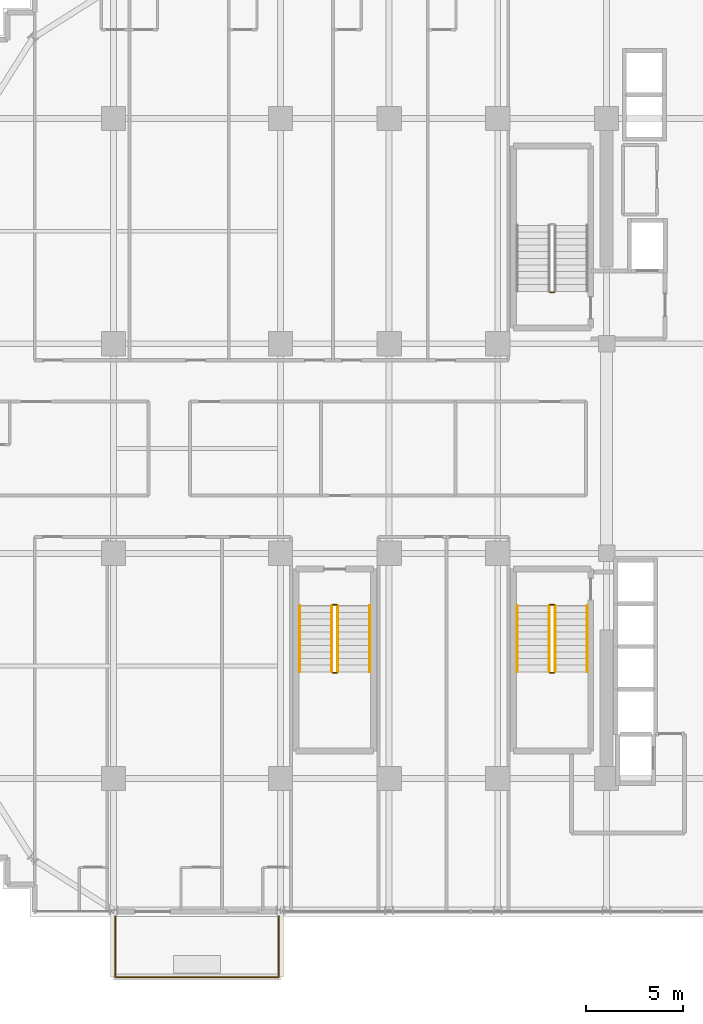
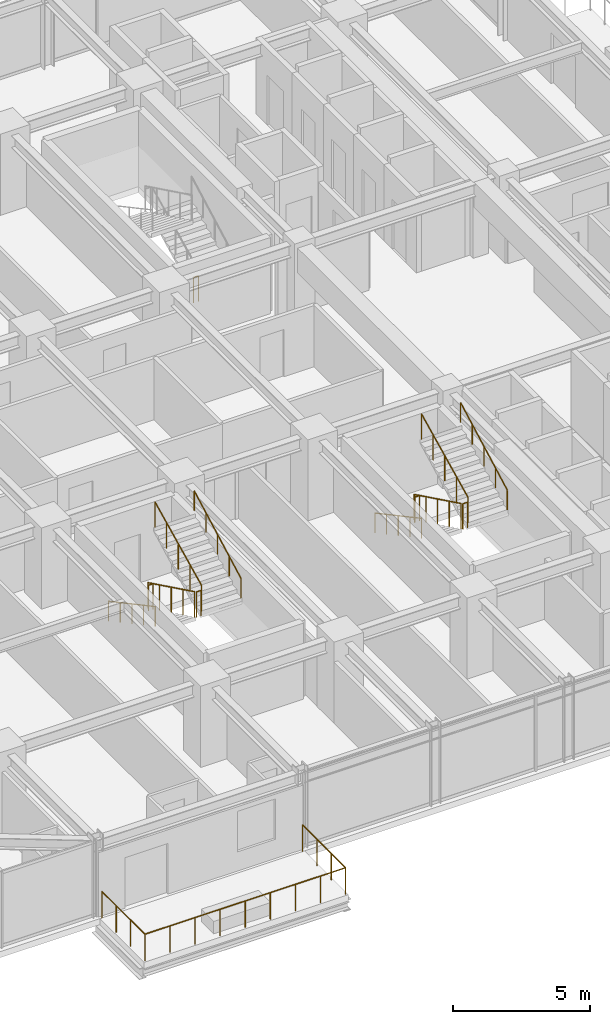
# One storey, part 30 of 32: 14 railings.
"""IFC4 building model written with IfcOpenShell, lengths in metres."""

from ifc_helpers import new_model, si_unit, direction, frame, origin, origin_2d, place, context, subcontext, project, spatial, circle, extrude, material, type_object, element, save


model = new_model("IFC4")

# Units and contexts
model_context = context("Model", 3, precision=1e-05, world=origin(), true_north=direction((0.0, 1.0)))
body_context = subcontext(model_context, "Body", "Model", "MODEL_VIEW")
ifc_project = project(units=[si_unit("LENGTHUNIT", "METRE"), si_unit("AREAUNIT", "SQUARE_METRE"), si_unit("VOLUMEUNIT", "CUBIC_METRE"), si_unit("PLANEANGLEUNIT", "RADIAN"), si_unit("MASSUNIT", "GRAM", prefix="KILO")], contexts=[model_context])

# Site, building, storey
site_placement = place(None, origin())
site = spatial("IfcSite", under=ifc_project, at=site_placement, CompositionType="ELEMENT")
building_placement = place(site_placement, origin())
building = spatial("IfcBuilding", under=site, at=building_placement, Name="Nahalor Promenade Grand Hotel", CompositionType="ELEMENT")
storey_placement = place(building_placement, frame((0.0, 0.0, 102.89990234375)))
storey = spatial("IfcBuildingStorey", under=building, at=storey_placement, Name="L25", CompositionType="ELEMENT", Elevation=102.89990234375)

# Railings
ifc_material_1 = material(Name="Anodised Bronze Aluminium EN AW-6063 T6", Category="aluminium")
railing_type_1 = type_object("IfcRailingType", Name="Bronze Balcony Guardrail 1200 mm", PredefinedType="GUARDRAIL", material=ifc_material_1)
railing_1_placement = place(storey_placement, frame((-16.919921875, -24.10009765625, 0.0)))
element("IfcRailing", 1, at=railing_1_placement, inside=storey, type_object=railing_type_1, Name="L25 Balcony Guardrail 1", PredefinedType="GUARDRAIL", context=body_context, shape_type="SweptSolid", body=[
    extrude(circle(Radius=0.024048, at=origin_2d()), frame((0.0, 0.0, 1.17578125), z_axis=(0.0, -1.0, 0.0), x_axis=(1.0, 0.0, 0.0)), (0.0, 0.0, 1.0), 3.1279296875),
    extrude(circle(Radius=0.024048, at=origin_2d()), frame((0.001953125, -3.1298828125, 1.17578125), z_axis=(1.0, 0.0, 0.0), x_axis=(0.0, 1.0, 0.0)), (0.0, 0.0, 1.0), 8.43603515625),
    extrude(circle(Radius=0.024048, at=origin_2d()), frame((8.43994140625, -3.1279296875, 1.17578125), z_axis=(0.0, 1.0, 0.0), x_axis=(-1.0, 0.0, 0.0)), (0.0, 0.0, 1.0), 3.1279296875),
    extrude(circle(Radius=0.020996, at=origin_2d()), origin(), (0.0, 0.0, 1.0), 1.14990234375),
    extrude(circle(Radius=0.020996, at=origin_2d()), frame((0.0, -1.043212890625, 0.0)), (0.0, 0.0, 1.0), 1.14990234375),
    extrude(circle(Radius=0.020996, at=origin_2d()), frame((0.0, -2.086669921875, 0.0)), (0.0, 0.0, 1.0), 1.14990234375),
    extrude(circle(Radius=0.020996, at=origin_2d()), frame((0.0, -3.1298828125, 0.0)), (0.0, 0.0, 1.0), 1.14990234375),
    extrude(circle(Radius=0.020996, at=origin_2d()), frame((1.054931640625, -3.1298828125, 0.0)), (0.0, 0.0, 1.0), 1.14990234375),
    extrude(circle(Radius=0.020996, at=origin_2d()), frame((2.10986328125, -3.1298828125, 0.0)), (0.0, 0.0, 1.0), 1.14990234375),
    extrude(circle(Radius=0.020996, at=origin_2d()), frame((3.1650390625, -3.1298828125, 0.0)), (0.0, 0.0, 1.0), 1.14990234375),
    extrude(circle(Radius=0.020996, at=origin_2d()), frame((4.219970703125, -3.1298828125, 0.0)), (0.0, 0.0, 1.0), 1.14990234375),
    extrude(circle(Radius=0.020996, at=origin_2d()), frame((5.27490234375, -3.1298828125, 0.0)), (0.0, 0.0, 1.0), 1.14990234375),
    extrude(circle(Radius=0.020996, at=origin_2d()), frame((6.330078125, -3.1298828125, 0.0)), (0.0, 0.0, 1.0), 1.14990234375),
    extrude(circle(Radius=0.020996, at=origin_2d()), frame((7.385009765625, -3.1298828125, 0.0)), (0.0, 0.0, 1.0), 1.14990234375),
    extrude(circle(Radius=0.020996, at=origin_2d()), frame((8.43994140625, -3.1298828125, 0.0)), (0.0, 0.0, 1.0), 1.14990234375),
    extrude(circle(Radius=0.020996, at=origin_2d()), frame((8.43994140625, -2.086669921875, 0.0)), (0.0, 0.0, 1.0), 1.14990234375),
    extrude(circle(Radius=0.020996, at=origin_2d()), frame((8.43994140625, -1.043212890625, 0.0)), (0.0, 0.0, 1.0), 1.14990234375),
    extrude(circle(Radius=0.020996, at=origin_2d()), frame((8.43994140625, 0.0, 0.0)), (0.0, 0.0, 1.0), 1.14990234375),
])
ifc_material_2 = material(Name="Steel S355JR", Category="steel")
railing_type_2 = type_object("IfcRailingType", Name="Steel Stair Guardrail 1150 mm", PredefinedType="GUARDRAIL", material=ifc_material_2)
railing_2_placement = place(storey_placement, frame((5.699951171875, 8.050048828125, 0.0)))
element("IfcRailing", 2, at=railing_2_placement, inside=storey, type_object=railing_type_2, Name="L25 ST1 stair guard 4", PredefinedType="GUARDRAIL", context=body_context, shape_type="SweptSolid", body=[
    extrude(circle(Radius=0.024048, at=origin_2d()), frame((0.0, 0.0, 1.1259765625), z_axis=(-1.0, 0.0, 0.0), x_axis=(0.0, -1.0, 0.0)), (0.0, 0.0, 1.0), 0.199951171875),
    extrude(circle(Radius=0.020996, at=origin_2d()), origin(), (0.0, 0.0, 1.0), 1.099853515625),
    extrude(circle(Radius=0.020996, at=origin_2d()), frame((-0.199951171875, 0.0, 0.0)), (0.0, 0.0, 1.0), 1.099853515625),
])
railing_3_placement = place(storey_placement, frame((5.449951171875, -8.10009765625, 0.166015625)))
element("IfcRailing", 3, at=railing_3_placement, inside=storey, type_object=railing_type_2, Name="L25 ST2 stair guard 1", PredefinedType="GUARDRAIL", context=body_context, shape_type="SweptSolid", body=[
    extrude(circle(Radius=0.024048, at=origin_2d()), frame((0.0, 0.0, 1.1259765625), z_axis=(0.0, -0.898696488221, 0.438571114028), x_axis=(1.0, 0.0, 0.0)), (0.0, 0.0, 1.0), 3.783203125),
    extrude(circle(Radius=0.020996, at=origin_2d()), origin(), (0.0, 0.0, 1.0), 1.099853515625),
    extrude(circle(Radius=0.020996, at=origin_2d()), frame((0.0, -0.85009765625, 0.414794921875)), (0.0, 0.0, 1.0), 1.099853515625),
    extrude(circle(Radius=0.020996, at=origin_2d()), frame((0.0, -1.699951171875, 0.82958984375)), (0.0, 0.0, 1.0), 1.099853515625),
    extrude(circle(Radius=0.020996, at=origin_2d()), frame((0.0, -2.5498046875, 1.244384765625)), (0.0, 0.0, 1.0), 1.099853515625),
    extrude(circle(Radius=0.020996, at=origin_2d()), frame((0.0, -3.39990234375, 1.6591796875)), (0.0, 0.0, 1.0), 1.099853515625),
])
railing_4_placement = place(storey_placement, frame((5.5, -11.550048828125, 1.8251953125)))
element("IfcRailing", 4, at=railing_4_placement, inside=storey, type_object=railing_type_2, Name="L25 ST2 stair guard 2", PredefinedType="GUARDRAIL", context=body_context, shape_type="SweptSolid", body=[
    extrude(circle(Radius=0.024048, at=origin_2d()), frame((0.0, 0.0, 1.1259765625), z_axis=(1.0, 0.0, 0.0), x_axis=(0.0, 1.0, 0.0)), (0.0, 0.0, 1.0), 0.199951171875),
    extrude(circle(Radius=0.020996, at=origin_2d()), origin(), (0.0, 0.0, 1.0), 1.099853515625),
    extrude(circle(Radius=0.020996, at=origin_2d()), frame((0.199951171875, 0.0, 0.0)), (0.0, 0.0, 1.0), 1.099853515625),
])
railing_5_placement = place(storey_placement, frame((5.75, -11.5, 1.990966796875)))
element("IfcRailing", 5, at=railing_5_placement, inside=storey, type_object=railing_type_2, Name="L25 ST2 stair guard 3", PredefinedType="GUARDRAIL", context=body_context, shape_type="SweptSolid", body=[
    extrude(circle(Radius=0.024048, at=origin_2d()), frame((0.0, 0.0, 1.1259765625), z_axis=(0.0, 0.898696488221, 0.438571114028), x_axis=(-1.0, 0.0, 0.0)), (0.0, 0.0, 1.0), 3.783203125),
    extrude(circle(Radius=0.020996, at=origin_2d()), origin(), (0.0, 0.0, 1.0), 1.099853515625),
    extrude(circle(Radius=0.020996, at=origin_2d()), frame((0.0, 0.85009765625, 0.414794921875)), (0.0, 0.0, 1.0), 1.099853515625),
    extrude(circle(Radius=0.020996, at=origin_2d()), frame((0.0, 1.699951171875, 0.82958984375)), (0.0, 0.0, 1.0), 1.099853515625),
    extrude(circle(Radius=0.020996, at=origin_2d()), frame((0.0, 2.5498046875, 1.244384765625)), (0.0, 0.0, 1.0), 1.099853515625),
    extrude(circle(Radius=0.020996, at=origin_2d()), frame((0.0, 3.39990234375, 1.6591796875)), (0.0, 0.0, 1.0), 1.099853515625),
])
railing_6_placement = place(storey_placement, frame((5.5, -8.050048828125, 0.0)))
element("IfcRailing", 6, at=railing_6_placement, inside=storey, type_object=railing_type_2, Name="L25 ST2 stair guard 4", PredefinedType="GUARDRAIL", context=body_context, shape_type="SweptSolid", body=[
    extrude(circle(Radius=0.024048, at=origin_2d()), frame((0.0, 0.0, 1.1259765625), z_axis=(1.0, 0.0, 0.0), x_axis=(0.0, 1.0, 0.0)), (0.0, 0.0, 1.0), 0.199951171875),
    extrude(circle(Radius=0.020996, at=origin_2d()), origin(), (0.0, 0.0, 1.0), 1.099853515625),
    extrude(circle(Radius=0.020996, at=origin_2d()), frame((0.199951171875, 0.0, 0.0)), (0.0, 0.0, 1.0), 1.099853515625),
])
railing_7_placement = place(storey_placement, frame((-5.75, -8.10009765625, 0.166015625)))
element("IfcRailing", 7, at=railing_7_placement, inside=storey, type_object=railing_type_2, Name="L25 ST3 stair guard 1", PredefinedType="GUARDRAIL", context=body_context, shape_type="SweptSolid", body=[
    extrude(circle(Radius=0.024048, at=origin_2d()), frame((0.0, 0.0, 1.1259765625), z_axis=(0.0, -0.898696488221, 0.438571114028), x_axis=(1.0, 0.0, 0.0)), (0.0, 0.0, 1.0), 3.783203125),
    extrude(circle(Radius=0.020996, at=origin_2d()), origin(), (0.0, 0.0, 1.0), 1.099853515625),
    extrude(circle(Radius=0.020996, at=origin_2d()), frame((0.0, -0.85009765625, 0.414794921875)), (0.0, 0.0, 1.0), 1.099853515625),
    extrude(circle(Radius=0.020996, at=origin_2d()), frame((0.0, -1.699951171875, 0.82958984375)), (0.0, 0.0, 1.0), 1.099853515625),
    extrude(circle(Radius=0.020996, at=origin_2d()), frame((0.0, -2.5498046875, 1.244384765625)), (0.0, 0.0, 1.0), 1.099853515625),
    extrude(circle(Radius=0.020996, at=origin_2d()), frame((0.0, -3.39990234375, 1.6591796875)), (0.0, 0.0, 1.0), 1.099853515625),
])
railing_8_placement = place(storey_placement, frame((-5.699951171875, -11.550048828125, 1.8251953125)))
element("IfcRailing", 8, at=railing_8_placement, inside=storey, type_object=railing_type_2, Name="L25 ST3 stair guard 2", PredefinedType="GUARDRAIL", context=body_context, shape_type="SweptSolid", body=[
    extrude(circle(Radius=0.024048, at=origin_2d()), frame((0.0, 0.0, 1.1259765625), z_axis=(1.0, 0.0, 0.0), x_axis=(0.0, 1.0, 0.0)), (0.0, 0.0, 1.0), 0.199951171875),
    extrude(circle(Radius=0.020996, at=origin_2d()), origin(), (0.0, 0.0, 1.0), 1.099853515625),
    extrude(circle(Radius=0.020996, at=origin_2d()), frame((0.199951171875, 0.0, 0.0)), (0.0, 0.0, 1.0), 1.099853515625),
])
railing_9_placement = place(storey_placement, frame((-5.449951171875, -11.5, 1.990966796875)))
element("IfcRailing", 9, at=railing_9_placement, inside=storey, type_object=railing_type_2, Name="L25 ST3 stair guard 3", PredefinedType="GUARDRAIL", context=body_context, shape_type="SweptSolid", body=[
    extrude(circle(Radius=0.024048, at=origin_2d()), frame((0.0, 0.0, 1.1259765625), z_axis=(0.0, 0.898696488221, 0.438571114028), x_axis=(-1.0, 0.0, 0.0)), (0.0, 0.0, 1.0), 3.783203125),
    extrude(circle(Radius=0.020996, at=origin_2d()), origin(), (0.0, 0.0, 1.0), 1.099853515625),
    extrude(circle(Radius=0.020996, at=origin_2d()), frame((0.0, 0.85009765625, 0.414794921875)), (0.0, 0.0, 1.0), 1.099853515625),
    extrude(circle(Radius=0.020996, at=origin_2d()), frame((0.0, 1.699951171875, 0.82958984375)), (0.0, 0.0, 1.0), 1.099853515625),
    extrude(circle(Radius=0.020996, at=origin_2d()), frame((0.0, 2.5498046875, 1.244384765625)), (0.0, 0.0, 1.0), 1.099853515625),
    extrude(circle(Radius=0.020996, at=origin_2d()), frame((0.0, 3.39990234375, 1.6591796875)), (0.0, 0.0, 1.0), 1.099853515625),
])
railing_10_placement = place(storey_placement, frame((-5.699951171875, -8.050048828125, 0.0)))
element("IfcRailing", 10, at=railing_10_placement, inside=storey, type_object=railing_type_2, Name="L25 ST3 stair guard 4", PredefinedType="GUARDRAIL", context=body_context, shape_type="SweptSolid", body=[
    extrude(circle(Radius=0.024048, at=origin_2d()), frame((0.0, 0.0, 1.1259765625), z_axis=(1.0, 0.0, 0.0), x_axis=(0.0, 1.0, 0.0)), (0.0, 0.0, 1.0), 0.199951171875),
    extrude(circle(Radius=0.020996, at=origin_2d()), origin(), (0.0, 0.0, 1.0), 1.099853515625),
    extrude(circle(Radius=0.020996, at=origin_2d()), frame((0.199951171875, 0.0, 0.0)), (0.0, 0.0, 1.0), 1.099853515625),
])
railing_type_3 = type_object("IfcRailingType", Name="Steel Stair Handrail 900 mm", PredefinedType="HANDRAIL", material=ifc_material_2)
railing_11_placement = place(storey_placement, frame((3.800048828125, -8.10009765625, 0.166015625)))
element("IfcRailing", 11, at=railing_11_placement, inside=storey, type_object=railing_type_3, Name="L25 ST2 stair handrail 1", PredefinedType="HANDRAIL", context=body_context, shape_type="SweptSolid", body=[
    extrude(circle(Radius=0.024048, at=origin_2d()), frame((0.0, 0.0, 0.8759765625), z_axis=(0.0, -0.881094038095, 0.47294111265), x_axis=(1.0, 0.0, 0.0)), (0.0, 0.0, 1.0), 3.858642578125),
    extrude(circle(Radius=0.020996, at=origin_2d()), origin(), (0.0, 0.0, 1.0), 0.849853515625),
    extrude(circle(Radius=0.020996, at=origin_2d()), frame((0.0, -0.85009765625, 0.456298828125)), (0.0, 0.0, 1.0), 0.849853515625),
    extrude(circle(Radius=0.020996, at=origin_2d()), frame((0.0, -1.699951171875, 0.91259765625)), (0.0, 0.0, 1.0), 0.849853515625),
    extrude(circle(Radius=0.020996, at=origin_2d()), frame((0.0, -2.5498046875, 1.36865234375)), (0.0, 0.0, 1.0), 0.849853515625),
    extrude(circle(Radius=0.020996, at=origin_2d()), frame((0.0, -3.39990234375, 1.824951171875)), (0.0, 0.0, 1.0), 0.849853515625),
])
railing_12_placement = place(storey_placement, frame((7.39990234375, -11.5, 1.990966796875)))
element("IfcRailing", 12, at=railing_12_placement, inside=storey, type_object=railing_type_3, Name="L25 ST2 stair handrail 2", PredefinedType="HANDRAIL", context=body_context, shape_type="SweptSolid", body=[
    extrude(circle(Radius=0.024048, at=origin_2d()), frame((0.0, 0.0, 0.8759765625), z_axis=(0.0, 0.881094038095, 0.47294111265), x_axis=(-1.0, 0.0, 0.0)), (0.0, 0.0, 1.0), 3.858642578125),
    extrude(circle(Radius=0.020996, at=origin_2d()), origin(), (0.0, 0.0, 1.0), 0.849853515625),
    extrude(circle(Radius=0.020996, at=origin_2d()), frame((0.0, 0.85009765625, 0.456298828125)), (0.0, 0.0, 1.0), 0.849853515625),
    extrude(circle(Radius=0.020996, at=origin_2d()), frame((0.0, 1.699951171875, 0.91259765625)), (0.0, 0.0, 1.0), 0.849853515625),
    extrude(circle(Radius=0.020996, at=origin_2d()), frame((0.0, 2.5498046875, 1.36865234375)), (0.0, 0.0, 1.0), 0.849853515625),
    extrude(circle(Radius=0.020996, at=origin_2d()), frame((0.0, 3.39990234375, 1.824951171875)), (0.0, 0.0, 1.0), 0.849853515625),
])
railing_13_placement = place(storey_placement, frame((-7.39990234375, -8.10009765625, 0.166015625)))
element("IfcRailing", 13, at=railing_13_placement, inside=storey, type_object=railing_type_3, Name="L25 ST3 stair handrail 1", PredefinedType="HANDRAIL", context=body_context, shape_type="SweptSolid", body=[
    extrude(circle(Radius=0.024048, at=origin_2d()), frame((0.0, 0.0, 0.8759765625), z_axis=(0.0, -0.881094038095, 0.47294111265), x_axis=(1.0, 0.0, 0.0)), (0.0, 0.0, 1.0), 3.858642578125),
    extrude(circle(Radius=0.020996, at=origin_2d()), origin(), (0.0, 0.0, 1.0), 0.849853515625),
    extrude(circle(Radius=0.020996, at=origin_2d()), frame((0.0, -0.85009765625, 0.456298828125)), (0.0, 0.0, 1.0), 0.849853515625),
    extrude(circle(Radius=0.020996, at=origin_2d()), frame((0.0, -1.699951171875, 0.91259765625)), (0.0, 0.0, 1.0), 0.849853515625),
    extrude(circle(Radius=0.020996, at=origin_2d()), frame((0.0, -2.5498046875, 1.36865234375)), (0.0, 0.0, 1.0), 0.849853515625),
    extrude(circle(Radius=0.020996, at=origin_2d()), frame((0.0, -3.39990234375, 1.824951171875)), (0.0, 0.0, 1.0), 0.849853515625),
])
railing_14_placement = place(storey_placement, frame((-3.800048828125, -11.5, 1.990966796875)))
element("IfcRailing", 14, at=railing_14_placement, inside=storey, type_object=railing_type_3, Name="L25 ST3 stair handrail 2", PredefinedType="HANDRAIL", context=body_context, shape_type="SweptSolid", body=[
    extrude(circle(Radius=0.024048, at=origin_2d()), frame((0.0, 0.0, 0.8759765625), z_axis=(0.0, 0.881094038095, 0.47294111265), x_axis=(-1.0, 0.0, 0.0)), (0.0, 0.0, 1.0), 3.858642578125),
    extrude(circle(Radius=0.020996, at=origin_2d()), origin(), (0.0, 0.0, 1.0), 0.849853515625),
    extrude(circle(Radius=0.020996, at=origin_2d()), frame((0.0, 0.85009765625, 0.456298828125)), (0.0, 0.0, 1.0), 0.849853515625),
    extrude(circle(Radius=0.020996, at=origin_2d()), frame((0.0, 1.699951171875, 0.91259765625)), (0.0, 0.0, 1.0), 0.849853515625),
    extrude(circle(Radius=0.020996, at=origin_2d()), frame((0.0, 2.5498046875, 1.36865234375)), (0.0, 0.0, 1.0), 0.849853515625),
    extrude(circle(Radius=0.020996, at=origin_2d()), frame((0.0, 3.39990234375, 1.824951171875)), (0.0, 0.0, 1.0), 0.849853515625),
])

save(model, "model.ifc")
